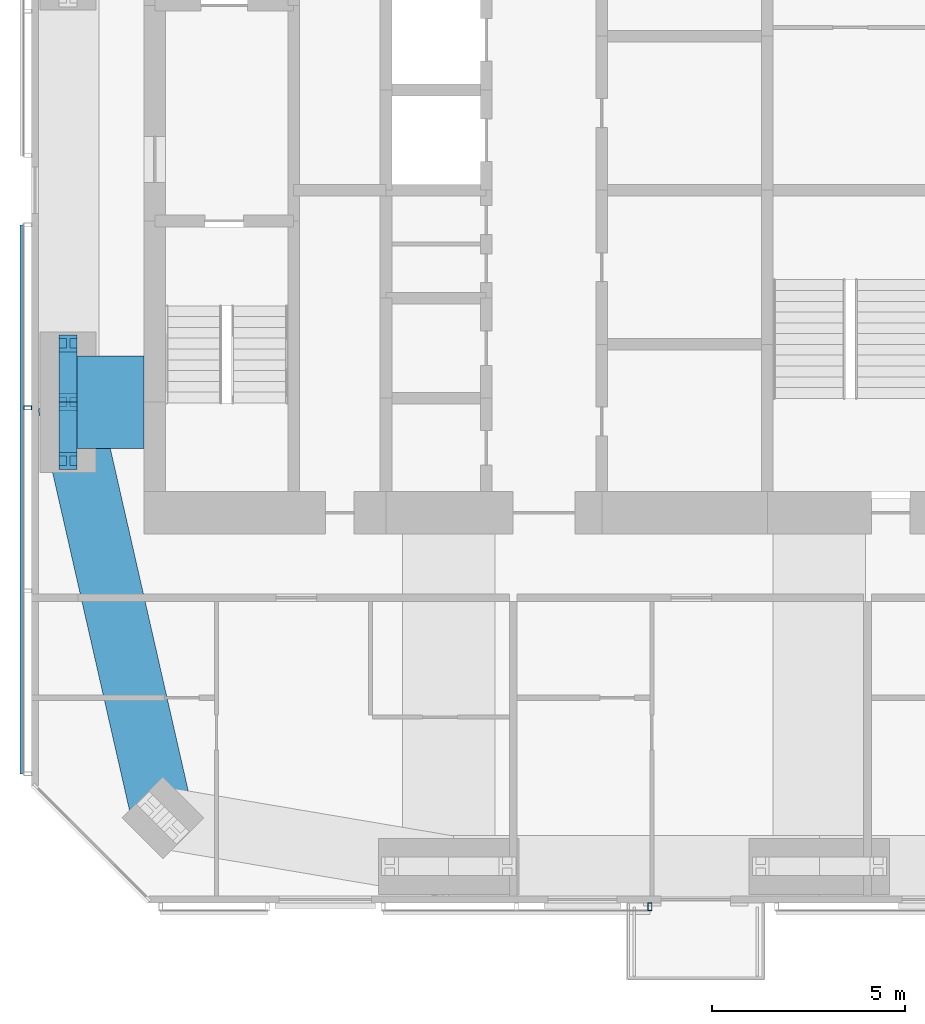
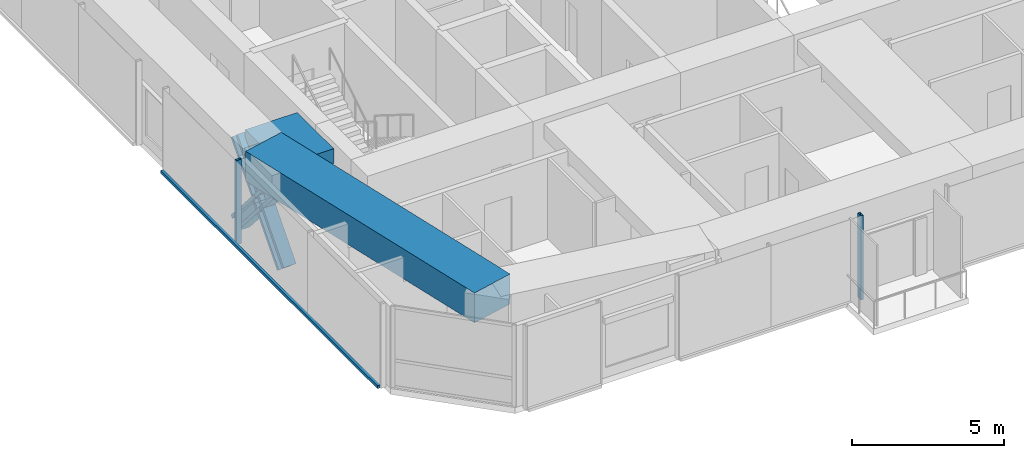
# One storey, part 3 of 18: 7 members, 2 beams, 2 elements without a shape of their own.
"""IFC4 building model written with IfcOpenShell, lengths in metres."""

import ifcopenshell
import ifcopenshell.guid

model = None  # the IFC model being written
_history = None  # IfcOwnerHistory: only IFC2X3 demands one
_inside = {}  # id of a spatial element -> (the spatial element, [elements in it])
_under = {}  # id of a project, library or spatial element -> (it, [spatial elements below it])
_declared = {}  # id of a project -> (the project, [libraries it declares])
_typed = {}  # id of a type object -> (the type object, [elements of that type])
_made_of = {}  # id of a material, layer set ... -> (it, [elements and type objects made of it])


def new_model(schema):
    """Start an empty IFC model of exactly this schema.

    Asked for "IFC4X3", IfcOpenShell would pick the latest addendum, in which some entities
    have other attributes; the version numbers below select the first issue.
    IFC2X3 requires an IfcOwnerHistory on every rooted entity: one is made here for all.
    """
    global model, _history
    if schema == "IFC4X3":
        model = ifcopenshell.file(schema_version=(4, 3, 0, 0))
    else:
        model = ifcopenshell.file(schema=schema)
    _inside.clear()
    _under.clear()
    _declared.clear()
    _typed.clear()
    _made_of.clear()
    _history = None
    if model.schema == "IFC2X3":
        org = make("IfcOrganization", Name="unknown")
        user = make(
            "IfcPersonAndOrganization",
            ThePerson=make("IfcPerson", FamilyName="unknown"),
            TheOrganization=org,
        )
        app = make(
            "IfcApplication",
            ApplicationDeveloper=org,
            Version="unknown",
            ApplicationFullName="unknown",
            ApplicationIdentifier="unknown",
        )
        _history = make(
            "IfcOwnerHistory",
            OwningUser=user,
            OwningApplication=app,
            ChangeAction="ADDED",
            CreationDate=0,
        )
    return model


def make(cls, **values):
    """One entity of the class cls with the attributes given. An attribute that is None is left unset."""
    return model.create_entity(
        cls, **{name: value for name, value in values.items() if value is not None}
    )


def rooted(cls, **values):
    """An entity with a GlobalId (a new one), such as an element, a storey or a relation."""
    return make(cls, GlobalId=ifcopenshell.guid.new(), OwnerHistory=_history, **values)


def si_unit(unit_type, name, prefix=None):
    """IfcSIUnit, for example si_unit("LENGTHUNIT", "METRE", prefix="MILLI")."""
    return make("IfcSIUnit", UnitType=unit_type, Prefix=prefix, Name=name)


def assignment(units):
    """IfcUnitAssignment: the units of a project."""
    return None if units is None else make("IfcUnitAssignment", Units=units)


def point(xyz):
    """IfcCartesianPoint."""
    return None if xyz is None else make("IfcCartesianPoint", Coordinates=xyz)


def direction(xyz):
    """IfcDirection."""
    return None if xyz is None else make("IfcDirection", DirectionRatios=xyz)


def frame(location, z_axis=None, x_axis=None):
    """IfcAxis2Placement3D, a coordinate frame: its origin and axes. An axis left out is left unset."""
    return make(
        "IfcAxis2Placement3D",
        Location=point(location),
        Axis=direction(z_axis),
        RefDirection=direction(x_axis),
    )


def frame_2d(location, x_axis=None):
    """IfcAxis2Placement2D, a coordinate frame in the plane: its origin and x axis."""
    return make(
        "IfcAxis2Placement2D", Location=point(location), RefDirection=direction(x_axis)
    )


def origin():
    """The frame at (0, 0, 0) with its axes left unset."""
    return frame((0.0, 0.0, 0.0))


def origin_2d():
    """The frame at (0, 0) in the plane with its x axis left unset."""
    return frame_2d((0.0, 0.0))


def place(relative_to, where):
    """IfcLocalPlacement: puts the frame where relative to a parent placement (None: the world)."""
    return make(
        "IfcLocalPlacement", PlacementRelTo=relative_to, RelativePlacement=where
    )


def context(
    kind, dimensions, precision=None, world=None, true_north=None, identifier=None
):
    """IfcGeometricRepresentationContext, for example the 3D "Model" context."""
    return make(
        "IfcGeometricRepresentationContext",
        ContextIdentifier=identifier,
        ContextType=kind,
        CoordinateSpaceDimension=dimensions,
        Precision=precision,
        WorldCoordinateSystem=world,
        TrueNorth=true_north,
    )


def subcontext(parent, identifier, kind, view, scale=None):
    """IfcGeometricRepresentationSubContext, for example "Body" below "Model"."""
    return make(
        "IfcGeometricRepresentationSubContext",
        ContextIdentifier=identifier,
        ContextType=kind,
        ParentContext=parent,
        TargetScale=scale,
        TargetView=view,
    )


def project(units=None, contexts=None):
    """IfcProject with its units and contexts."""
    return rooted(
        "IfcProject",
        Name="project",
        RepresentationContexts=contexts,
        UnitsInContext=assignment(units),
    )


def spatial(cls, under=None, at=None, **own):
    """A site, building, storey or space (cls), placed at a placement, below another one or the project."""
    s = rooted(cls, ObjectPlacement=at, **own)
    if under is not None:
        _under.setdefault(under.id(), (under, []))[1].append(s)
    return s


def profile(cls, at=None, kind="AREA", **sizes):
    """A parametric profile (cls). Its sizes go by their IFC names, for example OverallWidth=200.0."""
    return make(cls, ProfileType=kind, Position=at, **sizes)


def rectangle(**sizes):
    """IfcRectangleProfileDef."""
    return profile("IfcRectangleProfileDef", **sizes)


def hollow_rectangle(**sizes):
    """IfcRectangleHollowProfileDef."""
    return profile("IfcRectangleHollowProfileDef", **sizes)


def i_section(**sizes):
    """IfcIShapeProfileDef."""
    return profile("IfcIShapeProfileDef", **sizes)


def extrude(swept, where, along, depth):
    """IfcExtrudedAreaSolid: the profile swept, set in the frame where, extruded along a direction by depth."""
    return make(
        "IfcExtrudedAreaSolid",
        SweptArea=swept,
        Position=where,
        ExtrudedDirection=direction(along),
        Depth=depth,
    )


def shape(context_of_items, identifier, shape_type, items):
    """IfcShapeRepresentation: the items that make up one representation, for example the "Body"."""
    return make(
        "IfcShapeRepresentation",
        ContextOfItems=context_of_items,
        RepresentationIdentifier=identifier,
        RepresentationType=shape_type,
        Items=items,
    )


def material(Name=None, Category=None):
    """IfcMaterial."""
    return make("IfcMaterial", Name=Name, Category=Category)


def material_profile(
    of_material, cross_section, Name=None, Category=None, Priority=None
):
    """IfcMaterialProfile: a cross section and its material."""
    return make(
        "IfcMaterialProfile",
        Name=Name,
        Material=of_material,
        Profile=cross_section,
        Priority=Priority,
        Category=Category,
    )


def profile_set(profiles, Name=None, composite=None):
    """IfcMaterialProfileSet."""
    return make(
        "IfcMaterialProfileSet",
        Name=Name,
        MaterialProfiles=profiles,
        CompositeProfile=composite,
    )


def made_of(thing, what):
    """Note that an element or type object is made of a material, layer set ...; save() writes the relation."""
    if what is not None:
        _made_of.setdefault(what.id(), (what, []))[1].append(thing)
    return thing


def type_object(cls, material=None, **own):
    """A type object (cls), such as IfcWallType, which elements share."""
    return made_of(rooted(cls, **own), material)


def element(
    cls,
    number,
    at=None,
    inside=None,
    cuts=None,
    type_object=None,
    material=None,
    context=None,
    identifier="Body",
    shape_type=None,
    held_by="IfcProductDefinitionShape",
    body=None,
    shapes=None,
    **own,
):
    """One element of the class cls, such as IfcWall. Its Tag is "e" and its number.

    at: its placement. inside: the storey or other place that contains it. cuts: it is an
    opening in that element (IfcRelVoidsElement). A single representation is given by context,
    identifier, shape_type and body (its items); several are given by shapes. held_by: the class
    of the entity that holds the representations. save() writes the other relations.
    """
    e = rooted(cls, Tag="e%d" % number, ObjectPlacement=at, **own)
    if body is not None:
        shapes = [shape(context, identifier, shape_type, body)]
    if shapes is not None:
        e.Representation = make(held_by, Representations=shapes)
    if inside is not None:
        _inside.setdefault(inside.id(), (inside, []))[1].append(e)
    if cuts is not None:
        rooted(
            "IfcRelVoidsElement", RelatingBuildingElement=cuts, RelatedOpeningElement=e
        )
    if type_object is not None:
        _typed.setdefault(type_object.id(), (type_object, []))[1].append(e)
    return made_of(e, material)


def aggregate(whole, parts):
    """IfcRelAggregates: a whole, such as a stair, and the parts it consists of."""
    return rooted("IfcRelAggregates", RelatingObject=whole, RelatedObjects=parts)


def save(model, path):
    """Write the relations noted so far, then the file.

    IfcRelAggregates (storeys below a building ...), IfcRelContainedInSpatialStructure (elements
    in a storey), IfcRelDefinesByType, IfcRelAssociatesMaterial and IfcRelDeclares: one each for
    every whole, place, type object, material and project.
    """
    for whole, parts in _under.values():
        aggregate(whole, parts)
    for where, things in _inside.values():
        rooted(
            "IfcRelContainedInSpatialStructure",
            RelatedElements=things,
            RelatingStructure=where,
        )
    for kind, things in _typed.values():
        rooted("IfcRelDefinesByType", RelatedObjects=things, RelatingType=kind)
    for what, things in _made_of.values():
        rooted("IfcRelAssociatesMaterial", RelatedObjects=things, RelatingMaterial=what)
    for by, libraries in _declared.values():
        rooted("IfcRelDeclares", RelatingContext=by, RelatedDefinitions=libraries)
    model.write(path)


model = new_model("IFC4")

# Units and contexts
model_context = context("Model", 3, precision=1e-05, world=origin(), true_north=direction((0.0, 1.0)))
body_context = subcontext(model_context, "Body", "Model", "MODEL_VIEW")
ifc_project = project(units=[si_unit("LENGTHUNIT", "METRE"), si_unit("AREAUNIT", "SQUARE_METRE"), si_unit("VOLUMEUNIT", "CUBIC_METRE"), si_unit("PLANEANGLEUNIT", "RADIAN"), si_unit("MASSUNIT", "GRAM", prefix="KILO")], contexts=[model_context])

# Site, building, storey
site_placement = place(None, origin())
site = spatial("IfcSite", under=ifc_project, at=site_placement, CompositionType="ELEMENT")
building_placement = place(site_placement, origin())
building = spatial("IfcBuilding", under=site, at=building_placement, Name="Jalousie Tower", CompositionType="ELEMENT")
storey_placement = place(building_placement, frame((0.0, 0.0, 228.449951171875)))
storey = spatial("IfcBuildingStorey", under=building, at=storey_placement, Name="L62", CompositionType="ELEMENT", Elevation=228.449951171875)

# Members
ifc_material_1 = material(Name="Steel ASTM A992 Grade 50", Category="steel")
ifc_material_profile_1 = material_profile(ifc_material_1, i_section(OverallWidth=0.472412109375, OverallDepth=0.5791015625, WebThickness=0.094970703125, FlangeThickness=0.1298828125, at=origin_2d()), Name="W14X808")
ifc_profile_set_1 = profile_set([ifc_material_profile_1], Name="Steel ASTM A992 Grade 50")
member_type_1 = type_object("IfcMemberType", Name="PERIMETER BRACE W14X808", PredefinedType="BRACE", material=ifc_profile_set_1)
for number, where, z_axis, x_axis, name in (
    (1, (17.75, 11.47509765625, -0.599853515625), (0.0, 0.65695436777, 0.753930340726), (-1.0, 0.0, 0.0), "Perimeter brace 14 L62 part 1"),
    (2, (17.75, 13.0, 1.150146484375), (0.0, 0.65695436777, 0.753930340726), (-1.0, 0.0, 0.0), "Perimeter brace 14 L62 part 2"),
    (3, (17.75, 14.52490234375, -0.599853515625), (0.0, -0.65695436777, 0.753930340726), (1.0, 0.0, 0.0), "Perimeter brace 14 L62 part 3"),
    (4, (17.75, 13.0, 1.150146484375), (0.0, -0.65695436777, 0.753930340726), (1.0, 0.0, 0.0), "Perimeter brace 14 L62 part 4"),
):
    element("IfcMember", number, at=place(storey_placement, frame(where, z_axis=z_axis, x_axis=x_axis)), inside=storey, type_object=member_type_1, Name=name, PredefinedType="BRACE", context=body_context, shape_type="SweptSolid", body=[
        extrude(i_section(OverallWidth=0.472412109375, OverallDepth=0.5791015625, WebThickness=0.094970703125, FlangeThickness=0.1298828125, at=origin_2d()), origin(), (0.0, 0.0, 1.0), 2.3212890625),
    ])

# Beams
ifc_material_2 = material(Name="Concrete f'c 40 MPa", Category="concrete")
ifc_material_profile_2 = material_profile(ifc_material_2, rectangle(XDim=1.60009765625, YDim=1.199951171875, at=origin_2d()), Name="RC 1600x1200")
ifc_profile_set_2 = profile_set([ifc_material_profile_2], Name="Concrete f'c 40 MPa")
beam_type_1 = type_object("IfcBeamType", Name="RC BEAM 1600x1200", PredefinedType="BEAM", material=ifc_profile_set_2)
beam_1_placement = place(storey_placement, frame((17.75, 13.0, 2.900146484375), z_axis=(0.221971905818, -0.975053061647, 0.0), x_axis=(0.975053061647, 0.221971905818, 0.0)))
element("IfcBeam", 5, at=beam_1_placement, inside=storey, type_object=beam_type_1, Name="Edge band beam 14-01 under L63", PredefinedType="BEAM", context=body_context, shape_type="SweptSolid", body=[
    extrude(rectangle(XDim=1.60009765625, YDim=1.199951171875, at=origin_2d()), origin(), (0.0, 0.0, 1.0), 11.069091796875),
])
ifc_material_3 = material(Name="Concrete f'c 40 MPa", Category="concrete")
ifc_material_profile_3 = material_profile(ifc_material_3, rectangle(XDim=2.39990234375, YDim=0.60009765625, at=origin_2d()), Name="RC 2400x600")
ifc_profile_set_3 = profile_set([ifc_material_profile_3], Name="Concrete f'c 40 MPa")
beam_type_2 = type_object("IfcBeamType", Name="RC BEAM 2400x600", PredefinedType="BEAM", material=ifc_profile_set_3)
beam_2_placement = place(storey_placement, frame((17.75, 13.0, 2.9599609375), z_axis=(1.0, 0.0, 0.0), x_axis=(0.0, 1.0, 0.0)))
element("IfcBeam", 6, at=beam_2_placement, inside=storey, type_object=beam_type_2, Name="Floor band beam under L63", PredefinedType="BEAM", context=body_context, shape_type="SweptSolid", body=[
    extrude(rectangle(XDim=2.39990234375, YDim=0.60009765625, at=origin_2d()), origin(), (0.0, 0.0, 1.0), 1.97509765625),
])

# Curtain wall, member
ifc_material_4 = material(Name="Perforated aluminium sheet", Category="aluminium")
curtain_wall_type = type_object("IfcCurtainWallType", Name="SOLAR SCREEN SS-2", PredefinedType="USERDEFINED", material=ifc_material_4)
curtain_wall_1_placement = place(storey_placement, origin())
curtain_wall_1 = element("IfcCurtainWall", 7, at=curtain_wall_1_placement, inside=storey, type_object=curtain_wall_type, Name="Solar screen L62", ObjectType="SOLAR SCREEN SS-2", PredefinedType="USERDEFINED")
ifc_material_5 = material(Name="Steel ASTM A500 Grade C", Category="steel")
ifc_material_profile_4 = material_profile(ifc_material_5, hollow_rectangle(XDim=0.1015625, YDim=0.203125, WallThickness=0.0078125, at=origin_2d()), Name="HSS8X4X5/16")
ifc_profile_set_4 = profile_set([ifc_material_profile_4], Name="Steel ASTM A500 Grade C")
member_type_2 = type_object("IfcMemberType", Name="SOLAR SCREEN SS-2 MULLION", PredefinedType="MULLION", material=ifc_profile_set_4)
member_1_placement = place(storey_placement, frame((32.85009765625, -0.0966796875, -0.119873046875), z_axis=(0.0, 0.0, 1.0), x_axis=(1.0, 0.0, 0.0)))
member_1 = element("IfcMember", 8, at=member_1_placement, type_object=member_type_2, Name="SS2 post 3", PredefinedType="MULLION", context=body_context, shape_type="SweptSolid", body=[
    extrude(hollow_rectangle(XDim=0.1015625, YDim=0.203125, WallThickness=0.0078125, at=origin_2d()), origin(), (0.0, 0.0, 1.0), 3.3798828125),
])
aggregate(curtain_wall_1, [member_1])

# Curtain wall, members
curtain_wall_2_placement = place(storey_placement, origin())
curtain_wall_2 = element("IfcCurtainWall", 9, at=curtain_wall_2_placement, inside=storey, type_object=curtain_wall_type, Name="Solar screen L62", ObjectType="SOLAR SCREEN SS-2", PredefinedType="USERDEFINED")
member_2_placement = place(storey_placement, frame((16.703369140625, 12.850341796875, -0.119873046875), z_axis=(0.0, 0.0, 1.0), x_axis=(0.0, -1.0, 0.0)))
member_2 = element("IfcMember", 10, at=member_2_placement, type_object=member_type_2, Name="SS2 post 2", PredefinedType="MULLION", context=body_context, shape_type="SweptSolid", body=[
    extrude(hollow_rectangle(XDim=0.1015625, YDim=0.203125, WallThickness=0.0078125, at=origin_2d()), origin(), (0.0, 0.0, 1.0), 3.3798828125),
])
ifc_material_6 = material(Name="Extruded aluminium screen rail", Category="aluminium")
ifc_material_profile_5 = material_profile(ifc_material_6, rectangle(XDim=0.1015625, YDim=0.1201171875, at=origin_2d()), Name="RAIL 102x120")
ifc_profile_set_5 = profile_set([ifc_material_profile_5], Name="Extruded aluminium screen rail")
member_type_3 = type_object("IfcMemberType", Name="SOLAR SCREEN SS-2 TRANSOM", PredefinedType="USERDEFINED", material=ifc_profile_set_5)
member_3_placement = place(storey_placement, frame((16.551025390625, 17.60009765625, -0.06005859375), z_axis=(0.0, -1.0, 0.0), x_axis=(1.0, 0.0, 0.0)))
member_3 = element("IfcMember", 11, at=member_3_placement, type_object=member_type_3, Name="SS2 rail", ObjectType="TRANSOM", PredefinedType="USERDEFINED", context=body_context, shape_type="SweptSolid", body=[
    extrude(rectangle(XDim=0.1015625, YDim=0.1201171875, at=origin_2d()), origin(), (0.0, 0.0, 1.0), 14.248779296875),
])
aggregate(curtain_wall_2, [member_2, member_3])

save(model, "model.ifc")
